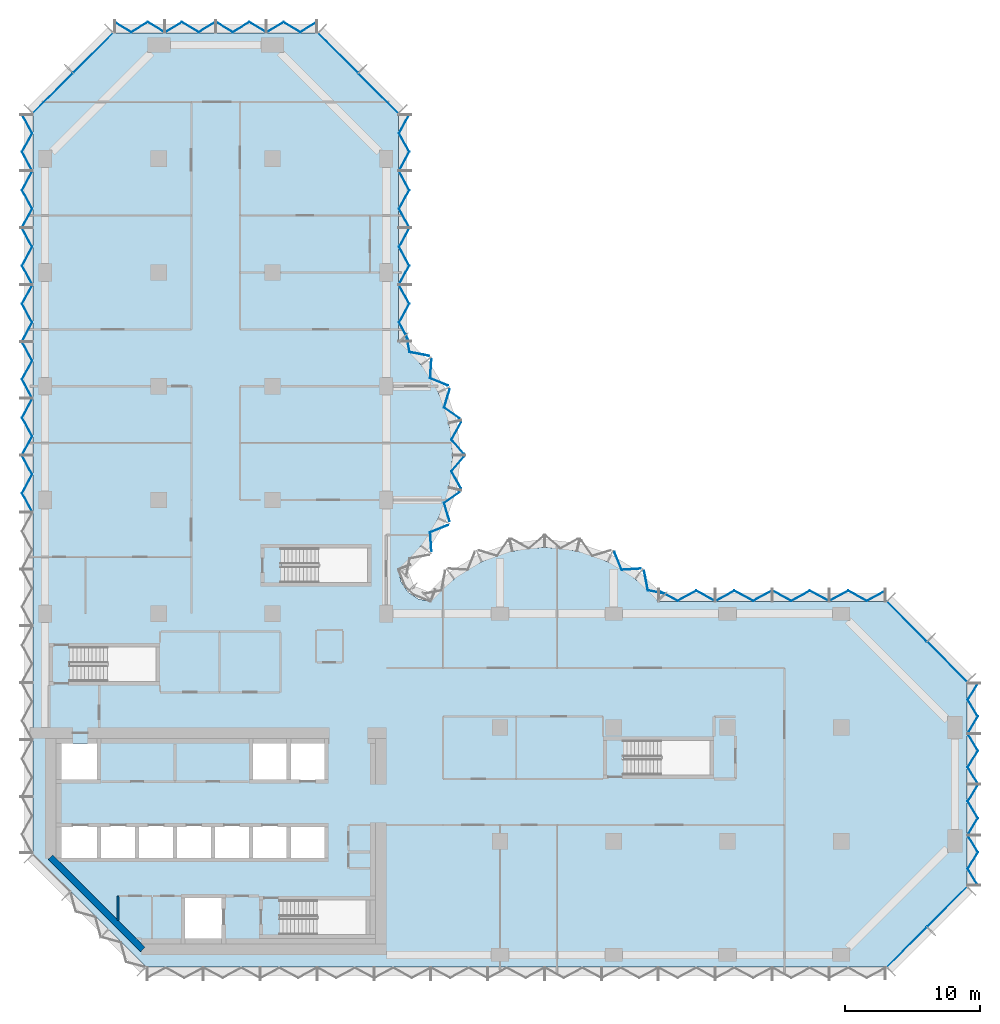
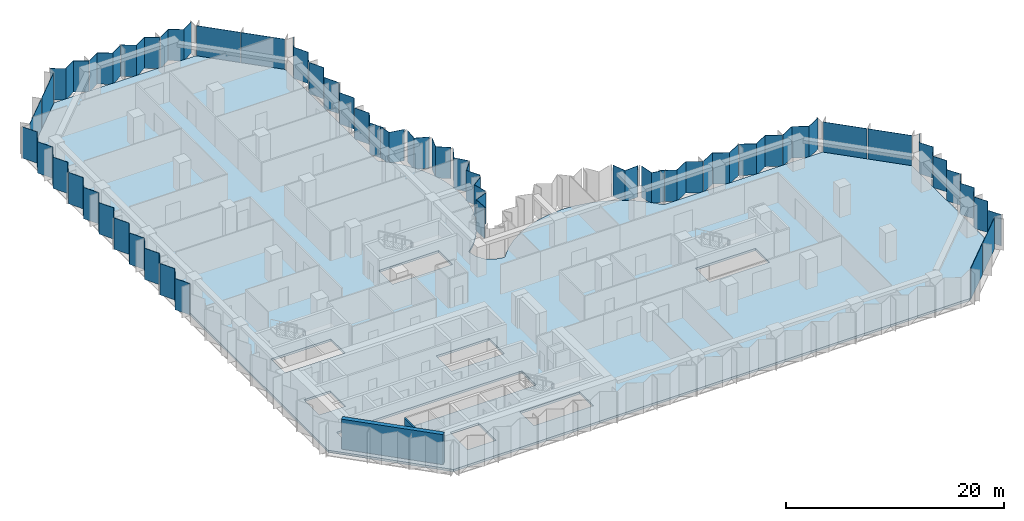
# One storey, part 6 of 13: 40 plates, 2 walls, 1 slab, 11 elements without a shape of their own.
"""IFC4 building model written with IfcOpenShell, lengths in metres."""

from ifc_helpers import new_model, si_unit, direction, frame, frame_2d, origin, place, context, subcontext, project, spatial, polyline, rectangle, outline, extrude, material, layer, layer_set, type_object, element, aggregate, save


model = new_model("IFC4")

# Units and contexts
model_context = context("Model", 3, precision=1e-05, world=origin(), true_north=direction((0.0, 1.0)))
body_context = subcontext(model_context, "Body", "Model", "MODEL_VIEW")
ifc_project = project(units=[si_unit("LENGTHUNIT", "METRE"), si_unit("AREAUNIT", "SQUARE_METRE"), si_unit("VOLUMEUNIT", "CUBIC_METRE"), si_unit("PLANEANGLEUNIT", "RADIAN"), si_unit("MASSUNIT", "GRAM", prefix="KILO")], contexts=[model_context])

# Site, building, storey
site_placement = place(None, origin())
site = spatial("IfcSite", under=ifc_project, at=site_placement, CompositionType="ELEMENT")
building_placement = place(site_placement, origin())
building = spatial("IfcBuilding", under=site, at=building_placement, Name="Brevane Broadcast Tower", CompositionType="ELEMENT")
storey_placement = place(building_placement, frame((0.0, 0.0, 95.300048828125)))
storey = spatial("IfcBuildingStorey", under=building, at=storey_placement, Name="L22", CompositionType="ELEMENT", Elevation=95.300048828125)

# Curtain wall, plates
ifc_material_1 = material(Name="Aluminium 6063-T6 bronze anodised", Category="aluminium")
curtain_wall_type = type_object("IfcCurtainWallType", Name="CW-1 curtain wall", PredefinedType="NOTDEFINED", material=ifc_material_1)
curtain_wall_1_placement = place(storey_placement, origin())
curtain_wall_1 = element("IfcCurtainWall", 1, at=curtain_wall_1_placement, inside=storey, type_object=curtain_wall_type, Name="CW-1 typical tilted unit L22 south-east chamfer", PredefinedType="NOTDEFINED")
ifc_material_2 = material(Name="Laminated glass bronze-tinted", Category="glass")
ifc_layer_1 = layer(ifc_material_2, 0.0400390625)
ifc_layer_set_1 = layer_set([ifc_layer_1], Name="CW tall glass panel 40")
plate_type = type_object("IfcPlateType", Name="CW tall glass panel 40", PredefinedType="CURTAIN_PANEL", material=ifc_layer_set_1)
plate_1_placement = place(storey_placement, frame((0.0, 0.0, -0.150146484375)))
plate_1 = element("IfcPlate", 2, at=plate_1_placement, type_object=plate_type, Name="CW-1 glass panel", PredefinedType="CURTAIN_PANEL", context=body_context, shape_type="SweptSolid", body=[
    extrude(outline(polyline([(62.14599609375, -0.896484375), (65.096435546875, 2.053955078125), (65.124755859375, 2.02587890625), (62.17431640625, -0.9248046875), (62.14599609375, -0.896484375)])), origin(), (0.0, 0.0, 1.0), 3.5),
])
plate_2_placement = place(storey_placement, frame((0.0, 0.0, -0.150146484375)))
plate_2 = element("IfcPlate", 3, at=plate_2_placement, type_object=plate_type, Name="CW-1 glass panel", PredefinedType="CURTAIN_PANEL", context=body_context, shape_type="SweptSolid", body=[
    extrude(outline(polyline([(65.14599609375, 2.103515625), (68.096435546875, 5.053955078125), (68.124755859375, 5.02587890625), (65.17431640625, 2.0751953125), (65.14599609375, 2.103515625)])), origin(), (0.0, 0.0, 1.0), 3.5),
])
aggregate(curtain_wall_1, [plate_1, plate_2])

curtain_wall_2_placement = place(storey_placement, origin())
curtain_wall_2 = element("IfcCurtainWall", 4, at=curtain_wall_2_placement, inside=storey, type_object=curtain_wall_type, Name="CW-1 typical tilted unit L22 east end", PredefinedType="NOTDEFINED")
plate_3_placement = place(storey_placement, frame((0.0, 0.0, -0.150146484375)))
plate_3 = element("IfcPlate", 5, at=plate_3_placement, type_object=plate_type, Name="CW-1 glass panel", PredefinedType="CURTAIN_PANEL", context=body_context, shape_type="SweptSolid", body=[
    extrude(outline(polyline([(68.87109375, 5.135009765625), (68.917724609375, 5.135009765625), (68.17333984375, 6.36181640625), (68.917724609375, 7.58837890625), (68.17333984375, 8.81494140625), (68.126708984375, 8.81494140625), (68.87109375, 7.58837890625), (68.126708984375, 6.36181640625), (68.87109375, 5.135009765625)])), origin(), (0.0, 0.0, 1.0), 3.5),
])
plate_4_placement = place(storey_placement, frame((0.0, 0.0, -0.150146484375)))
plate_4 = element("IfcPlate", 6, at=plate_4_placement, type_object=plate_type, Name="CW-1 glass panel", PredefinedType="CURTAIN_PANEL", context=body_context, shape_type="SweptSolid", body=[
    extrude(outline(polyline([(68.126708984375, 8.885009765625), (68.17333984375, 8.885009765625), (68.917724609375, 10.11181640625), (68.17333984375, 11.33837890625), (68.917724609375, 12.56494140625), (68.87109375, 12.56494140625), (68.126708984375, 11.33837890625), (68.87109375, 10.11181640625), (68.126708984375, 8.885009765625)])), origin(), (0.0, 0.0, 1.0), 3.5),
])
plate_5_placement = place(storey_placement, frame((0.0, 0.0, -0.150146484375)))
plate_5 = element("IfcPlate", 7, at=plate_5_placement, type_object=plate_type, Name="CW-1 glass panel", PredefinedType="CURTAIN_PANEL", context=body_context, shape_type="SweptSolid", body=[
    extrude(outline(polyline([(68.87109375, 12.635009765625), (68.917724609375, 12.635009765625), (68.17333984375, 13.86181640625), (68.917724609375, 15.08837890625), (68.17333984375, 16.31494140625), (68.126708984375, 16.31494140625), (68.87109375, 15.08837890625), (68.126708984375, 13.86181640625), (68.87109375, 12.635009765625)])), origin(), (0.0, 0.0, 1.0), 3.5),
])
plate_6_placement = place(storey_placement, frame((0.0, 0.0, -0.150146484375)))
plate_6 = element("IfcPlate", 8, at=plate_6_placement, type_object=plate_type, Name="CW-1 glass panel", PredefinedType="CURTAIN_PANEL", context=body_context, shape_type="SweptSolid", body=[
    extrude(outline(polyline([(68.126708984375, 16.385009765625), (68.17333984375, 16.385009765625), (68.917724609375, 17.61181640625), (68.17333984375, 18.83837890625), (68.917724609375, 20.06494140625), (68.87109375, 20.06494140625), (68.126708984375, 18.83837890625), (68.87109375, 17.61181640625), (68.126708984375, 16.385009765625)])), origin(), (0.0, 0.0, 1.0), 3.5),
])
aggregate(curtain_wall_2, [plate_3, plate_4, plate_5, plate_6])

curtain_wall_3_placement = place(storey_placement, origin())
curtain_wall_3 = element("IfcCurtainWall", 9, at=curtain_wall_3_placement, inside=storey, type_object=curtain_wall_type, Name="CW-1 typical tilted unit L22 north-east chamfer", PredefinedType="NOTDEFINED")
plate_7_placement = place(storey_placement, frame((0.0, 0.0, -0.150146484375)))
plate_7 = element("IfcPlate", 10, at=plate_7_placement, type_object=plate_type, Name="CW-1 glass panel", PredefinedType="CURTAIN_PANEL", context=body_context, shape_type="SweptSolid", body=[
    extrude(outline(polyline([(68.096435546875, 20.14599609375), (65.14599609375, 23.096435546875), (65.17431640625, 23.124755859375), (68.124755859375, 20.17431640625), (68.096435546875, 20.14599609375)])), origin(), (0.0, 0.0, 1.0), 3.5),
])
plate_8_placement = place(storey_placement, frame((0.0, 0.0, -0.150146484375)))
plate_8 = element("IfcPlate", 11, at=plate_8_placement, type_object=plate_type, Name="CW-1 glass panel", PredefinedType="CURTAIN_PANEL", context=body_context, shape_type="SweptSolid", body=[
    extrude(outline(polyline([(65.096435546875, 23.14599609375), (62.14599609375, 26.096435546875), (62.17431640625, 26.124755859375), (65.124755859375, 23.17431640625), (65.096435546875, 23.14599609375)])), origin(), (0.0, 0.0, 1.0), 3.5),
])
aggregate(curtain_wall_3, [plate_7, plate_8])

curtain_wall_4_placement = place(storey_placement, origin())
curtain_wall_4 = element("IfcCurtainWall", 12, at=curtain_wall_4_placement, inside=storey, type_object=curtain_wall_type, Name="CW-1 typical tilted unit L22 east arm north face", PredefinedType="NOTDEFINED")
plate_9_placement = place(storey_placement, frame((0.0, 0.0, -0.150146484375)))
plate_9 = element("IfcPlate", 13, at=plate_9_placement, type_object=plate_type, Name="CW-1 glass panel", PredefinedType="CURTAIN_PANEL", context=body_context, shape_type="SweptSolid", body=[
    extrude(outline(polyline([(62.06494140625, 26.87158203125), (62.06494140625, 26.9169921875), (60.688232421875, 26.172607421875), (59.311767578125, 26.9169921875), (57.93505859375, 26.172607421875), (57.93505859375, 26.127197265625), (59.311767578125, 26.87158203125), (60.688232421875, 26.127197265625), (62.06494140625, 26.87158203125)])), origin(), (0.0, 0.0, 1.0), 3.5),
])
plate_10_placement = place(storey_placement, frame((0.0, 0.0, -0.150146484375)))
plate_10 = element("IfcPlate", 14, at=plate_10_placement, type_object=plate_type, Name="CW-1 glass panel", PredefinedType="CURTAIN_PANEL", context=body_context, shape_type="SweptSolid", body=[
    extrude(outline(polyline([(57.864990234375, 26.127197265625), (57.864990234375, 26.172607421875), (56.48828125, 26.9169921875), (55.11181640625, 26.172607421875), (53.735107421875, 26.9169921875), (53.735107421875, 26.87158203125), (55.11181640625, 26.127197265625), (56.48828125, 26.87158203125), (57.864990234375, 26.127197265625)])), origin(), (0.0, 0.0, 1.0), 3.5),
])
plate_11_placement = place(storey_placement, frame((0.0, 0.0, -0.150146484375)))
plate_11 = element("IfcPlate", 15, at=plate_11_placement, type_object=plate_type, Name="CW-1 glass panel", PredefinedType="CURTAIN_PANEL", context=body_context, shape_type="SweptSolid", body=[
    extrude(outline(polyline([(53.6650390625, 26.87158203125), (53.6650390625, 26.9169921875), (52.288330078125, 26.172607421875), (50.91162109375, 26.9169921875), (49.534912109375, 26.172607421875), (49.534912109375, 26.127197265625), (50.91162109375, 26.87158203125), (52.288330078125, 26.127197265625), (53.6650390625, 26.87158203125)])), origin(), (0.0, 0.0, 1.0), 3.5),
])
plate_12_placement = place(storey_placement, frame((0.0, 0.0, -0.150146484375)))
plate_12 = element("IfcPlate", 16, at=plate_12_placement, type_object=plate_type, Name="CW-1 glass panel", PredefinedType="CURTAIN_PANEL", context=body_context, shape_type="SweptSolid", body=[
    extrude(outline(polyline([(49.465087890625, 26.127197265625), (49.465087890625, 26.172607421875), (48.08837890625, 26.9169921875), (46.711669921875, 26.172607421875), (45.3349609375, 26.9169921875), (45.3349609375, 26.87158203125), (46.711669921875, 26.127197265625), (48.08837890625, 26.87158203125), (49.465087890625, 26.127197265625)])), origin(), (0.0, 0.0, 1.0), 3.5),
])
aggregate(curtain_wall_4, [plate_9, plate_10, plate_11, plate_12])

curtain_wall_5_placement = place(storey_placement, origin())
curtain_wall_5 = element("IfcCurtainWall", 17, at=curtain_wall_5_placement, inside=storey, type_object=curtain_wall_type, Name="CW-1 typical tilted unit L22 east bow", PredefinedType="NOTDEFINED")
plate_13_placement = place(storey_placement, frame((0.0, 0.0, -0.150146484375)))
plate_13 = element("IfcPlate", 18, at=plate_13_placement, type_object=plate_type, Name="CW-1 glass panel", PredefinedType="CURTAIN_PANEL", context=body_context, shape_type="SweptSolid", body=[
    extrude(outline(polyline([(45.79150390625, 26.656005859375), (45.82470703125, 26.690185546875), (44.539306640625, 26.9423828125), (44.263916015625, 28.3857421875), (44.231201171875, 28.34375), (44.5048828125, 26.908203125), (45.79150390625, 26.656005859375)])), origin(), (0.0, 0.0, 1.0), 3.5),
])
plate_14_placement = place(storey_placement, frame((0.0, 0.0, -0.150146484375)))
plate_14 = element("IfcPlate", 19, at=plate_14_placement, type_object=plate_type, Name="CW-1 glass panel", PredefinedType="CURTAIN_PANEL", context=body_context, shape_type="SweptSolid", body=[
    extrude(outline(polyline([(43.950439453125, 28.5087890625), (43.9833984375, 28.551025390625), (42.601318359375, 28.462890625), (42.0703125, 29.76171875), (42.046875, 29.712890625), (42.5751953125, 28.42138671875), (43.950439453125, 28.5087890625)])), origin(), (0.0, 0.0, 1.0), 3.5),
])
aggregate(curtain_wall_5, [plate_13, plate_14])

curtain_wall_6_placement = place(storey_placement, origin())
curtain_wall_6 = element("IfcCurtainWall", 20, at=curtain_wall_6_placement, inside=storey, type_object=curtain_wall_type, Name="CW-1 typical tilted unit L22 north bow", PredefinedType="NOTDEFINED")
plate_15_placement = place(storey_placement, frame((0.0, 0.0, -0.150146484375)))
plate_15 = element("IfcPlate", 21, at=plate_15_placement, type_object=plate_type, Name="CW-1 glass panel", PredefinedType="CURTAIN_PANEL", context=body_context, shape_type="SweptSolid", body=[
    extrude(outline(polyline([(28.5087890625, 29.849609375), (28.551025390625, 29.816650390625), (28.462890625, 31.198486328125), (29.76171875, 31.729736328125), (29.712890625, 31.753173828125), (28.42138671875, 31.224609375), (28.5087890625, 29.849609375)])), origin(), (0.0, 0.0, 1.0), 3.5),
])
plate_16_placement = place(storey_placement, frame((0.0, 0.0, -0.150146484375)))
plate_16 = element("IfcPlate", 22, at=plate_16_placement, type_object=plate_type, Name="CW-1 glass panel", PredefinedType="CURTAIN_PANEL", context=body_context, shape_type="SweptSolid", body=[
    extrude(outline(polyline([(29.851806640625, 32.044677734375), (29.900634765625, 32.021484375), (29.494384765625, 33.364501953125), (30.622802734375, 34.167236328125), (30.57080078125, 34.17919921875), (29.44775390625, 33.380615234375), (29.851806640625, 32.044677734375)])), origin(), (0.0, 0.0, 1.0), 3.5),
])
plate_17_placement = place(storey_placement, frame((0.0, 0.0, -0.150146484375)))
plate_17 = element("IfcPlate", 23, at=plate_17_placement, type_object=plate_type, Name="CW-1 glass panel", PredefinedType="CURTAIN_PANEL", context=body_context, shape_type="SweptSolid", body=[
    extrude(outline(polyline([(30.68798828125, 34.483642578125), (30.740478515625, 34.4716796875), (30.036376953125, 35.730224609375), (30.94921875, 36.7919921875), (30.896484375, 36.7919921875), (29.98779296875, 35.735107421875), (30.68798828125, 34.483642578125)])), origin(), (0.0, 0.0, 1.0), 3.5),
])
plate_18_placement = place(storey_placement, frame((0.0, 0.0, -0.150146484375)))
plate_18 = element("IfcPlate", 24, at=plate_18_placement, type_object=plate_type, Name="CW-1 glass panel", PredefinedType="CURTAIN_PANEL", context=body_context, shape_type="SweptSolid", body=[
    extrude(outline(polyline([(30.896484375, 37.008056640625), (30.94921875, 37.008056640625), (30.036376953125, 38.069580078125), (30.740478515625, 39.328369140625), (30.68798828125, 39.31640625), (29.98779296875, 38.064697265625), (30.896484375, 37.008056640625)])), origin(), (0.0, 0.0, 1.0), 3.5),
])
plate_19_placement = place(storey_placement, frame((0.0, 0.0, -0.150146484375)))
plate_19 = element("IfcPlate", 25, at=plate_19_placement, type_object=plate_type, Name="CW-1 glass panel", PredefinedType="CURTAIN_PANEL", context=body_context, shape_type="SweptSolid", body=[
    extrude(outline(polyline([(30.57080078125, 39.62060546875), (30.622802734375, 39.6328125), (29.494384765625, 40.435546875), (29.900634765625, 41.778564453125), (29.851806640625, 41.75537109375), (29.44775390625, 40.41943359375), (30.57080078125, 39.62060546875)])), origin(), (0.0, 0.0, 1.0), 3.5),
])
plate_20_placement = place(storey_placement, frame((0.0, 0.0, -0.150146484375)))
plate_20 = element("IfcPlate", 26, at=plate_20_placement, type_object=plate_type, Name="CW-1 glass panel", PredefinedType="CURTAIN_PANEL", context=body_context, shape_type="SweptSolid", body=[
    extrude(outline(polyline([(29.712890625, 42.046875), (29.76171875, 42.0703125), (28.462890625, 42.601318359375), (28.551025390625, 43.9833984375), (28.5087890625, 43.950439453125), (28.42138671875, 42.5751953125), (29.712890625, 42.046875)])), origin(), (0.0, 0.0, 1.0), 3.5),
])
plate_21_placement = place(storey_placement, frame((0.0, 0.0, -0.150146484375)))
plate_21 = element("IfcPlate", 27, at=plate_21_placement, type_object=plate_type, Name="CW-1 glass panel", PredefinedType="CURTAIN_PANEL", context=body_context, shape_type="SweptSolid", body=[
    extrude(outline(polyline([(28.34375, 44.231201171875), (28.3857421875, 44.263916015625), (26.9423828125, 44.539306640625), (26.690185546875, 45.82470703125), (26.656005859375, 45.79150390625), (26.908203125, 44.5048828125), (28.34375, 44.231201171875)])), origin(), (0.0, 0.0, 1.0), 3.5),
])
aggregate(curtain_wall_6, [plate_15, plate_16, plate_17, plate_18, plate_19, plate_20, plate_21])

curtain_wall_7_placement = place(storey_placement, origin())
curtain_wall_7 = element("IfcCurtainWall", 28, at=curtain_wall_7_placement, inside=storey, type_object=curtain_wall_type, Name="CW-1 typical tilted unit L22 north arm east face", PredefinedType="NOTDEFINED")
plate_22_placement = place(storey_placement, frame((0.0, 0.0, -0.150146484375)))
plate_22 = element("IfcPlate", 29, at=plate_22_placement, type_object=plate_type, Name="CW-1 glass panel", PredefinedType="CURTAIN_PANEL", context=body_context, shape_type="SweptSolid", body=[
    extrude(outline(polyline([(26.87158203125, 45.3349609375), (26.9169921875, 45.3349609375), (26.172607421875, 46.711669921875), (26.9169921875, 48.08837890625), (26.172607421875, 49.465087890625), (26.127197265625, 49.465087890625), (26.87158203125, 48.08837890625), (26.127197265625, 46.711669921875), (26.87158203125, 45.3349609375)])), origin(), (0.0, 0.0, 1.0), 3.5),
])
plate_23_placement = place(storey_placement, frame((0.0, 0.0, -0.150146484375)))
plate_23 = element("IfcPlate", 30, at=plate_23_placement, type_object=plate_type, Name="CW-1 glass panel", PredefinedType="CURTAIN_PANEL", context=body_context, shape_type="SweptSolid", body=[
    extrude(outline(polyline([(26.127197265625, 49.534912109375), (26.172607421875, 49.534912109375), (26.9169921875, 50.91162109375), (26.172607421875, 52.288330078125), (26.9169921875, 53.6650390625), (26.87158203125, 53.6650390625), (26.127197265625, 52.288330078125), (26.87158203125, 50.91162109375), (26.127197265625, 49.534912109375)])), origin(), (0.0, 0.0, 1.0), 3.5),
])
plate_24_placement = place(storey_placement, frame((0.0, 0.0, -0.150146484375)))
plate_24 = element("IfcPlate", 31, at=plate_24_placement, type_object=plate_type, Name="CW-1 glass panel", PredefinedType="CURTAIN_PANEL", context=body_context, shape_type="SweptSolid", body=[
    extrude(outline(polyline([(26.87158203125, 53.735107421875), (26.9169921875, 53.735107421875), (26.172607421875, 55.11181640625), (26.9169921875, 56.48828125), (26.172607421875, 57.864990234375), (26.127197265625, 57.864990234375), (26.87158203125, 56.48828125), (26.127197265625, 55.11181640625), (26.87158203125, 53.735107421875)])), origin(), (0.0, 0.0, 1.0), 3.5),
])
plate_25_placement = place(storey_placement, frame((0.0, 0.0, -0.150146484375)))
plate_25 = element("IfcPlate", 32, at=plate_25_placement, type_object=plate_type, Name="CW-1 glass panel", PredefinedType="CURTAIN_PANEL", context=body_context, shape_type="SweptSolid", body=[
    extrude(outline(polyline([(26.127197265625, 57.93505859375), (26.172607421875, 57.93505859375), (26.9169921875, 59.311767578125), (26.172607421875, 60.688232421875), (26.9169921875, 62.06494140625), (26.87158203125, 62.06494140625), (26.127197265625, 60.688232421875), (26.87158203125, 59.311767578125), (26.127197265625, 57.93505859375)])), origin(), (0.0, 0.0, 1.0), 3.5),
])
aggregate(curtain_wall_7, [plate_22, plate_23, plate_24, plate_25])

curtain_wall_8_placement = place(storey_placement, origin())
curtain_wall_8 = element("IfcCurtainWall", 33, at=curtain_wall_8_placement, inside=storey, type_object=curtain_wall_type, Name="CW-1 typical tilted unit L22 north arm north-east chamfer", PredefinedType="NOTDEFINED")
plate_26_placement = place(storey_placement, frame((0.0, 0.0, -0.150146484375)))
plate_26 = element("IfcPlate", 34, at=plate_26_placement, type_object=plate_type, Name="CW-1 glass panel", PredefinedType="CURTAIN_PANEL", context=body_context, shape_type="SweptSolid", body=[
    extrude(outline(polyline([(26.096435546875, 62.14599609375), (23.14599609375, 65.096435546875), (23.17431640625, 65.124755859375), (26.124755859375, 62.17431640625), (26.096435546875, 62.14599609375)])), origin(), (0.0, 0.0, 1.0), 3.5),
])
plate_27_placement = place(storey_placement, frame((0.0, 0.0, -0.150146484375)))
plate_27 = element("IfcPlate", 35, at=plate_27_placement, type_object=plate_type, Name="CW-1 glass panel", PredefinedType="CURTAIN_PANEL", context=body_context, shape_type="SweptSolid", body=[
    extrude(outline(polyline([(23.096435546875, 65.14599609375), (20.14599609375, 68.096435546875), (20.17431640625, 68.124755859375), (23.124755859375, 65.17431640625), (23.096435546875, 65.14599609375)])), origin(), (0.0, 0.0, 1.0), 3.5),
])
aggregate(curtain_wall_8, [plate_26, plate_27])

curtain_wall_9_placement = place(storey_placement, origin())
curtain_wall_9 = element("IfcCurtainWall", 36, at=curtain_wall_9_placement, inside=storey, type_object=curtain_wall_type, Name="CW-1 typical tilted unit L22 north end", PredefinedType="NOTDEFINED")
plate_28_placement = place(storey_placement, frame((0.0, 0.0, -0.150146484375)))
plate_28 = element("IfcPlate", 37, at=plate_28_placement, type_object=plate_type, Name="CW-1 glass panel", PredefinedType="CURTAIN_PANEL", context=body_context, shape_type="SweptSolid", body=[
    extrude(outline(polyline([(20.06494140625, 68.87109375), (20.06494140625, 68.917724609375), (18.83837890625, 68.17333984375), (17.61181640625, 68.917724609375), (16.385009765625, 68.17333984375), (16.385009765625, 68.126708984375), (17.61181640625, 68.87109375), (18.83837890625, 68.126708984375), (20.06494140625, 68.87109375)])), origin(), (0.0, 0.0, 1.0), 3.5),
])
plate_29_placement = place(storey_placement, frame((0.0, 0.0, -0.150146484375)))
plate_29 = element("IfcPlate", 38, at=plate_29_placement, type_object=plate_type, Name="CW-1 glass panel", PredefinedType="CURTAIN_PANEL", context=body_context, shape_type="SweptSolid", body=[
    extrude(outline(polyline([(16.31494140625, 68.126708984375), (16.31494140625, 68.17333984375), (15.08837890625, 68.917724609375), (13.86181640625, 68.17333984375), (12.635009765625, 68.917724609375), (12.635009765625, 68.87109375), (13.86181640625, 68.126708984375), (15.08837890625, 68.87109375), (16.31494140625, 68.126708984375)])), origin(), (0.0, 0.0, 1.0), 3.5),
])
plate_30_placement = place(storey_placement, frame((0.0, 0.0, -0.150146484375)))
plate_30 = element("IfcPlate", 39, at=plate_30_placement, type_object=plate_type, Name="CW-1 glass panel", PredefinedType="CURTAIN_PANEL", context=body_context, shape_type="SweptSolid", body=[
    extrude(outline(polyline([(12.56494140625, 68.87109375), (12.56494140625, 68.917724609375), (11.33837890625, 68.17333984375), (10.11181640625, 68.917724609375), (8.885009765625, 68.17333984375), (8.885009765625, 68.126708984375), (10.11181640625, 68.87109375), (11.33837890625, 68.126708984375), (12.56494140625, 68.87109375)])), origin(), (0.0, 0.0, 1.0), 3.5),
])
plate_31_placement = place(storey_placement, frame((0.0, 0.0, -0.150146484375)))
plate_31 = element("IfcPlate", 40, at=plate_31_placement, type_object=plate_type, Name="CW-1 glass panel", PredefinedType="CURTAIN_PANEL", context=body_context, shape_type="SweptSolid", body=[
    extrude(outline(polyline([(8.81494140625, 68.126708984375), (8.81494140625, 68.17333984375), (7.58837890625, 68.917724609375), (6.36181640625, 68.17333984375), (5.135009765625, 68.917724609375), (5.135009765625, 68.87109375), (6.36181640625, 68.126708984375), (7.58837890625, 68.87109375), (8.81494140625, 68.126708984375)])), origin(), (0.0, 0.0, 1.0), 3.5),
])
aggregate(curtain_wall_9, [plate_28, plate_29, plate_30, plate_31])

curtain_wall_10_placement = place(storey_placement, origin())
curtain_wall_10 = element("IfcCurtainWall", 41, at=curtain_wall_10_placement, inside=storey, type_object=curtain_wall_type, Name="CW-1 typical tilted unit L22 north-west chamfer", PredefinedType="NOTDEFINED")
plate_32_placement = place(storey_placement, frame((0.0, 0.0, -0.150146484375)))
plate_32 = element("IfcPlate", 42, at=plate_32_placement, type_object=plate_type, Name="CW-1 glass panel", PredefinedType="CURTAIN_PANEL", context=body_context, shape_type="SweptSolid", body=[
    extrude(outline(polyline([(5.053955078125, 68.096435546875), (2.103515625, 65.14599609375), (2.0751953125, 65.17431640625), (5.02587890625, 68.124755859375), (5.053955078125, 68.096435546875)])), origin(), (0.0, 0.0, 1.0), 3.5),
])
plate_33_placement = place(storey_placement, frame((0.0, 0.0, -0.150146484375)))
plate_33 = element("IfcPlate", 43, at=plate_33_placement, type_object=plate_type, Name="CW-1 glass panel", PredefinedType="CURTAIN_PANEL", context=body_context, shape_type="SweptSolid", body=[
    extrude(outline(polyline([(2.053955078125, 65.096435546875), (-0.896484375, 62.14599609375), (-0.9248046875, 62.17431640625), (2.02587890625, 65.124755859375), (2.053955078125, 65.096435546875)])), origin(), (0.0, 0.0, 1.0), 3.5),
])
aggregate(curtain_wall_10, [plate_32, plate_33])

curtain_wall_11_placement = place(storey_placement, origin())
curtain_wall_11 = element("IfcCurtainWall", 44, at=curtain_wall_11_placement, inside=storey, type_object=curtain_wall_type, Name="CW-1 typical tilted unit L22 west face", PredefinedType="NOTDEFINED")
plate_34_placement = place(storey_placement, frame((0.0, 0.0, -0.150146484375)))
plate_34 = element("IfcPlate", 45, at=plate_34_placement, type_object=plate_type, Name="CW-1 glass panel", PredefinedType="CURTAIN_PANEL", context=body_context, shape_type="SweptSolid", body=[
    extrude(outline(polyline([(-1.671630859375, 62.06494140625), (-1.717041015625, 62.06494140625), (-0.97265625, 60.688232421875), (-1.717041015625, 59.311767578125), (-0.97265625, 57.93505859375), (-0.92724609375, 57.93505859375), (-1.671630859375, 59.311767578125), (-0.92724609375, 60.688232421875), (-1.671630859375, 62.06494140625)])), origin(), (0.0, 0.0, 1.0), 3.5),
])
plate_35_placement = place(storey_placement, frame((0.0, 0.0, -0.150146484375)))
plate_35 = element("IfcPlate", 46, at=plate_35_placement, type_object=plate_type, Name="CW-1 glass panel", PredefinedType="CURTAIN_PANEL", context=body_context, shape_type="SweptSolid", body=[
    extrude(outline(polyline([(-0.92724609375, 57.864990234375), (-0.97265625, 57.864990234375), (-1.717041015625, 56.48828125), (-0.97265625, 55.11181640625), (-1.717041015625, 53.735107421875), (-1.671630859375, 53.735107421875), (-0.92724609375, 55.11181640625), (-1.671630859375, 56.48828125), (-0.92724609375, 57.864990234375)])), origin(), (0.0, 0.0, 1.0), 3.5),
])
plate_36_placement = place(storey_placement, frame((0.0, 0.0, -0.150146484375)))
plate_36 = element("IfcPlate", 47, at=plate_36_placement, type_object=plate_type, Name="CW-1 glass panel", PredefinedType="CURTAIN_PANEL", context=body_context, shape_type="SweptSolid", body=[
    extrude(outline(polyline([(-1.671630859375, 53.6650390625), (-1.717041015625, 53.6650390625), (-0.97265625, 52.288330078125), (-1.717041015625, 50.91162109375), (-0.97265625, 49.534912109375), (-0.92724609375, 49.534912109375), (-1.671630859375, 50.91162109375), (-0.92724609375, 52.288330078125), (-1.671630859375, 53.6650390625)])), origin(), (0.0, 0.0, 1.0), 3.5),
])
plate_37_placement = place(storey_placement, frame((0.0, 0.0, -0.150146484375)))
plate_37 = element("IfcPlate", 48, at=plate_37_placement, type_object=plate_type, Name="CW-1 glass panel", PredefinedType="CURTAIN_PANEL", context=body_context, shape_type="SweptSolid", body=[
    extrude(outline(polyline([(-0.92724609375, 49.465087890625), (-0.97265625, 49.465087890625), (-1.717041015625, 48.08837890625), (-0.97265625, 46.711669921875), (-1.717041015625, 45.3349609375), (-1.671630859375, 45.3349609375), (-0.92724609375, 46.711669921875), (-1.671630859375, 48.08837890625), (-0.92724609375, 49.465087890625)])), origin(), (0.0, 0.0, 1.0), 3.5),
])
plate_38_placement = place(storey_placement, frame((0.0, 0.0, -0.150146484375)))
plate_38 = element("IfcPlate", 49, at=plate_38_placement, type_object=plate_type, Name="CW-1 glass panel", PredefinedType="CURTAIN_PANEL", context=body_context, shape_type="SweptSolid", body=[
    extrude(outline(polyline([(-1.671630859375, 45.264892578125), (-1.717041015625, 45.264892578125), (-0.97265625, 43.88818359375), (-1.717041015625, 42.51171875), (-0.97265625, 41.135009765625), (-0.92724609375, 41.135009765625), (-1.671630859375, 42.51171875), (-0.92724609375, 43.88818359375), (-1.671630859375, 45.264892578125)])), origin(), (0.0, 0.0, 1.0), 3.5),
])
plate_39_placement = place(storey_placement, frame((0.0, 0.0, -0.150146484375)))
plate_39 = element("IfcPlate", 50, at=plate_39_placement, type_object=plate_type, Name="CW-1 glass panel", PredefinedType="CURTAIN_PANEL", context=body_context, shape_type="SweptSolid", body=[
    extrude(outline(polyline([(-0.92724609375, 41.06494140625), (-0.97265625, 41.06494140625), (-1.717041015625, 39.688232421875), (-0.97265625, 38.311767578125), (-1.717041015625, 36.93505859375), (-1.671630859375, 36.93505859375), (-0.92724609375, 38.311767578125), (-1.671630859375, 39.688232421875), (-0.92724609375, 41.06494140625)])), origin(), (0.0, 0.0, 1.0), 3.5),
])
plate_40_placement = place(storey_placement, frame((0.0, 0.0, -0.150146484375)))
plate_40 = element("IfcPlate", 51, at=plate_40_placement, type_object=plate_type, Name="CW-1 glass panel", PredefinedType="CURTAIN_PANEL", context=body_context, shape_type="SweptSolid", body=[
    extrude(outline(polyline([(-1.671630859375, 36.864990234375), (-1.717041015625, 36.864990234375), (-0.97265625, 35.48828125), (-1.717041015625, 34.11181640625), (-0.97265625, 32.735107421875), (-0.92724609375, 32.735107421875), (-1.671630859375, 34.11181640625), (-0.92724609375, 35.48828125), (-1.671630859375, 36.864990234375)])), origin(), (0.0, 0.0, 1.0), 3.5),
])
aggregate(curtain_wall_11, [plate_34, plate_35, plate_36, plate_37, plate_38, plate_39, plate_40])

# Slab
ifc_material_3 = material(Name="Concrete C40/50", Category="concrete")
ifc_layer_2 = layer(ifc_material_3, 0.25)
ifc_layer_set_2 = layer_set([ifc_layer_2], Name="RC FLOOR SLAB 250 C40/50")
slab_type = type_object("IfcSlabType", Name="RC FLOOR SLAB 250 C40/50", PredefinedType="FLOOR", material=ifc_layer_set_2)
slab_placement = place(storey_placement, frame((0.0, 0.0, -0.25)))
element("IfcSlab", 52, at=slab_placement, inside=storey, type_object=slab_type, Name="SL250 L22", PredefinedType="FLOOR", context=body_context, shape_type="SweptSolid", body=[
    extrude(outline(polyline([(-0.89990234375, 7.5), (-0.89990234375, 62.10009765625), (5.10009765625, 68.10009765625), (20.10009765625, 68.10009765625), (26.10009765625, 62.10009765625), (26.10009765625, 45.300048828125), (27.10888671875, 44.36865234375), (27.99169921875, 43.317138671875), (28.734130859375, 42.162353515625), (29.324462890625, 40.922607421875), (29.7529296875, 39.618408203125), (30.012939453125, 38.270263671875), (30.10009765625, 36.89990234375), (30.012939453125, 35.52978515625), (29.7529296875, 34.181640625), (29.324462890625, 32.877197265625), (28.734130859375, 31.6376953125), (27.99169921875, 30.48291015625), (27.10888671875, 29.431396484375), (26.10009765625, 28.5), (26.28271484375, 27.58154296875), (26.802978515625, 26.802978515625), (27.58154296875, 26.28271484375), (28.5, 26.10009765625), (29.431396484375, 27.10888671875), (30.48291015625, 27.99169921875), (31.6376953125, 28.734130859375), (32.877197265625, 29.324462890625), (34.181640625, 29.7529296875), (35.52978515625, 30.012939453125), (36.89990234375, 30.10009765625), (38.270263671875, 30.012939453125), (39.618408203125, 29.7529296875), (40.922607421875, 29.324462890625), (42.162353515625, 28.734130859375), (43.317138671875, 27.99169921875), (44.36865234375, 27.10888671875), (45.300048828125, 26.10009765625), (62.10009765625, 26.10009765625), (68.10009765625, 20.10009765625), (68.10009765625, 5.10009765625), (62.10009765625, -0.89990234375), (7.5, -0.89990234375), (-0.89990234375, 7.5)]), holes=[polyline([(13.199951171875, 4.39990234375), (10.199951171875, 4.39990234375), (10.199951171875, 1.199951171875), (13.199951171875, 1.199951171875), (13.199951171875, 4.39990234375)]), polyline([(4.0, 9.60009765625), (1.199951171875, 9.60009765625), (1.199951171875, 7.0), (4.0, 7.0), (6.800048828125, 7.0), (9.60009765625, 7.0), (12.39990234375, 7.0), (15.199951171875, 7.0), (18.0, 7.0), (20.800048828125, 7.0), (20.800048828125, 9.60009765625), (18.0, 9.60009765625), (15.199951171875, 9.60009765625), (12.39990234375, 9.60009765625), (9.60009765625, 9.60009765625), (6.800048828125, 9.60009765625), (4.0, 9.60009765625)]), polyline([(4.0, 12.800048828125), (4.0, 15.60009765625), (1.199951171875, 15.60009765625), (1.199951171875, 12.800048828125), (4.0, 12.800048828125)]), polyline([(8.199951171875, 22.75), (1.860107421875, 22.75), (1.860107421875, 20.199951171875), (8.199951171875, 20.199951171875), (8.199951171875, 22.75)]), polyline([(23.699951171875, 4.050048828125), (17.360107421875, 4.050048828125), (17.360107421875, 1.5), (23.699951171875, 1.5), (23.699951171875, 4.050048828125)]), polyline([(18.0, 15.60009765625), (15.199951171875, 15.60009765625), (15.199951171875, 12.800048828125), (18.0, 12.800048828125), (20.800048828125, 12.800048828125), (20.800048828125, 15.60009765625), (18.0, 15.60009765625)]), polyline([(49.10009765625, 15.85009765625), (42.760009765625, 15.85009765625), (42.760009765625, 13.300048828125), (49.10009765625, 13.300048828125), (49.10009765625, 15.85009765625)]), polyline([(23.800048828125, 30.050048828125), (17.4599609375, 30.050048828125), (17.4599609375, 27.5), (23.800048828125, 27.5), (23.800048828125, 30.050048828125)])]), origin(), (0.0, 0.0, 1.0), 0.25),
])

# Walls
ifc_material_4 = material(Name="Gypsum board on steel studs", Category="steel")
ifc_layer_3 = layer(ifc_material_4, 0.14990234375)
ifc_layer_set_3 = layer_set([ifc_layer_3], Name="Core fire partition 150 mm")
wall_type_1 = type_object("IfcWallType", Name="Core fire partition 150 mm", PredefinedType="PARTITIONING", material=ifc_layer_set_3)
wall_1_placement = place(storey_placement, frame((5.39990234375, 2.553466796875, 0.0), z_axis=(0.0, 0.0, 1.0), x_axis=(0.0, 1.0, 0.0)))
element("IfcWall", 53, at=wall_1_placement, inside=storey, type_object=wall_type_1, Name="L22 partition wall P10", PredefinedType="PARTITIONING", context=body_context, shape_type="SweptSolid", body=[
    extrude(rectangle(XDim=1.796630859375, YDim=0.14990234375, at=frame_2d((0.8984375, 0.0))), origin(), (0.0, 0.0, 1.0), 3.349853515625),
])
ifc_material_5 = material(Name="Concrete C60/75", Category="concrete")
ifc_layer_4 = layer(ifc_material_5, 0.449951171875)
ifc_layer_set_4 = layer_set([ifc_layer_4], Name="Core wall 450 mm C60/75")
wall_type_2 = type_object("IfcWallType", Name="Core wall 450 mm C60/75", PredefinedType="SHEAR", material=ifc_layer_set_4)
wall_2_placement = place(storey_placement, frame((0.39990234375, 7.21826171875, 0.0), z_axis=(0.0, 0.0, 1.0), x_axis=(0.707106781187, -0.707106781187, 0.0)))
element("IfcWall", 54, at=wall_2_placement, inside=storey, type_object=wall_type_2, Name="L22 outer wall WC", PredefinedType="SHEAR", context=body_context, shape_type="SweptSolid", body=[
    extrude(rectangle(XDim=9.642578125, YDim=0.449951171875, at=frame_2d((4.8212890625, 0.0))), origin(), (0.0, 0.0, 1.0), 3.349853515625),
])

save(model, "model.ifc")
